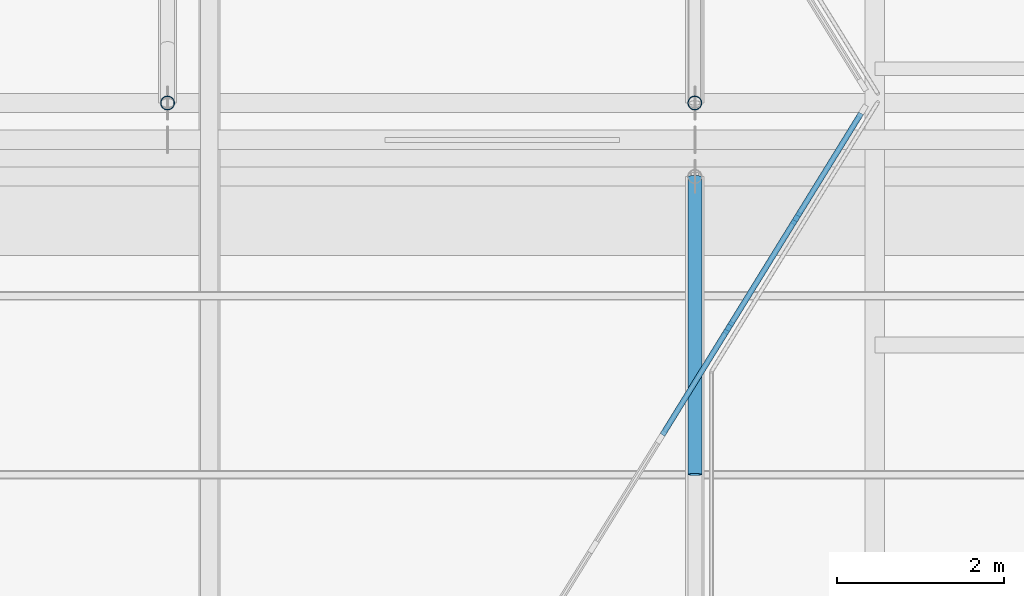
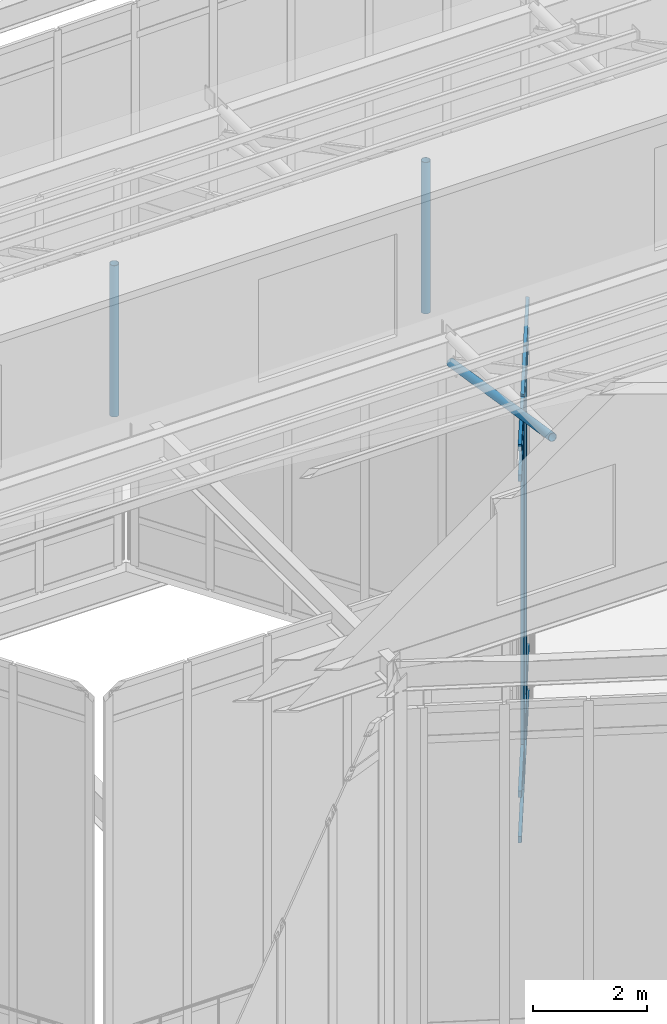
# One storey, part 26 of 66: 17 members, 1 element without a shape of its own.
"""IFC4 building model written with IfcOpenShell, lengths in metres."""

from ifc_helpers import new_model, si_unit, direction, frame, origin, origin_2d, place, context, subcontext, project, spatial, rectangle, hollow_circle, extrude, material, material_profile, profile_set, type_object, element, aggregate, save


model = new_model("IFC4")

# Units and contexts
model_context = context("Model", 3, precision=1e-05, world=origin(), true_north=direction((0.0, 1.0)))
body_context = subcontext(model_context, "Body", "Model", "MODEL_VIEW")
ifc_project = project(units=[si_unit("LENGTHUNIT", "METRE"), si_unit("AREAUNIT", "SQUARE_METRE"), si_unit("VOLUMEUNIT", "CUBIC_METRE"), si_unit("PLANEANGLEUNIT", "RADIAN"), si_unit("MASSUNIT", "GRAM", prefix="KILO")], contexts=[model_context])

# Site, building, storey
site_placement = place(None, origin())
site = spatial("IfcSite", under=ifc_project, at=site_placement, CompositionType="ELEMENT")
building_placement = place(site_placement, origin())
building = spatial("IfcBuilding", under=site, at=building_placement, Name="Tameran Prism Museum", CompositionType="ELEMENT")
storey_placement = place(building_placement, frame((0.0, 0.0, 19.800048828125)))
storey = spatial("IfcBuildingStorey", under=building, at=storey_placement, Name="L04", CompositionType="ELEMENT", Elevation=19.800048828125)

# Curtain wall, members
ifc_material_1 = material(Name="Anodised Aluminium 6063-T6 and Cyclone Solar Glass", Category="aluminium")
curtain_wall_type = type_object("IfcCurtainWallType", Name="CW-ATR-769x844", PredefinedType="USERDEFINED", material=ifc_material_1)
curtain_wall_placement = place(storey_placement, origin())
curtain_wall = element("IfcCurtainWall", 1, at=curtain_wall_placement, inside=storey, type_object=curtain_wall_type, Name="Unitised Curtain Wall CW-017", ObjectType="UNITISED CURTAIN WALL", PredefinedType="USERDEFINED")
ifc_material_2 = material(Name="Anodised Aluminium Alloy 6063-T6", Category="aluminium")
ifc_material_profile_1 = material_profile(ifc_material_2, rectangle(XDim=0.06494140625, YDim=0.159912109375, at=origin_2d()))
ifc_profile_set_1 = profile_set([ifc_material_profile_1])
member_type_1 = type_object("IfcMemberType", Name="CW-MUL-A", PredefinedType="MULLION", material=ifc_profile_set_1)
member_1_placement = place(storey_placement, frame((83.7041015625, 33.75439453125, 0.0), z_axis=(0.0, 0.0, 1.0), x_axis=(-0.850791158897, 0.525503952357, 0.0)))
member_1 = element("IfcMember", 2, at=member_1_placement, type_object=member_type_1, Name="CW-017 mullion 4", PredefinedType="MULLION", context=body_context, shape_type="SweptSolid", body=[
    extrude(rectangle(XDim=0.06494140625, YDim=0.159912109375, at=origin_2d()), origin(), (0.0, 0.0, 1.0), 8.43994140625),
])
member_2_placement = place(storey_placement, frame((84.5126953125, 35.063232421875, 0.0), z_axis=(0.0, 0.0, 1.0), x_axis=(-0.850791158897, 0.525503952357, 0.0)))
member_2 = element("IfcMember", 3, at=member_2_placement, type_object=member_type_1, Name="CW-017 mullion 5", PredefinedType="MULLION", context=body_context, shape_type="SweptSolid", body=[
    extrude(rectangle(XDim=0.06494140625, YDim=0.159912109375, at=origin_2d()), origin(), (0.0, 0.0, 1.0), 8.43994140625),
])
ifc_material_3 = material(Name="Anodised Aluminium Alloy 6063-T6", Category="aluminium")
ifc_material_profile_2 = material_profile(ifc_material_3, rectangle(XDim=0.06494140625, YDim=0.139892578125, at=origin_2d()))
ifc_profile_set_2 = profile_set([ifc_material_profile_2])
member_type_2 = type_object("IfcMemberType", Name="CW-TRN-A", PredefinedType="USERDEFINED", material=ifc_profile_set_2)
member_3_placement = place(storey_placement, frame((82.912841796875, 32.47314453125, 0.032470703125), z_axis=(0.525418798442, 0.850843749606, 0.0), x_axis=(-0.850843749606, 0.525418798442, 0.0)))
member_3 = element("IfcMember", 4, at=member_3_placement, type_object=member_type_2, Name="CW-017 transom 3.1", ObjectType="TRANSOM", PredefinedType="USERDEFINED", context=body_context, shape_type="SweptSolid", body=[
    extrude(rectangle(XDim=0.06494140625, YDim=0.139892578125, at=origin_2d()), origin(), (0.0, 0.0, 1.0), 1.473388671875),
])
member_4_placement = place(storey_placement, frame((82.912841796875, 32.47314453125, 1.0), z_axis=(0.525418798442, 0.850843749606, 0.0), x_axis=(-0.850843749606, 0.525418798442, 0.0)))
member_4 = element("IfcMember", 5, at=member_4_placement, type_object=member_type_2, Name="CW-017 transom 3.2", ObjectType="TRANSOM", PredefinedType="USERDEFINED", context=body_context, shape_type="SweptSolid", body=[
    extrude(rectangle(XDim=0.06494140625, YDim=0.139892578125, at=origin_2d()), origin(), (0.0, 0.0, 1.0), 1.473388671875),
])
member_5_placement = place(storey_placement, frame((82.912841796875, 32.47314453125, 7.760009765625), z_axis=(0.525418798442, 0.850843749606, 0.0), x_axis=(-0.850843749606, 0.525418798442, 0.0)))
member_5 = element("IfcMember", 6, at=member_5_placement, type_object=member_type_2, Name="CW-017 transom 3.3", ObjectType="TRANSOM", PredefinedType="USERDEFINED", context=body_context, shape_type="SweptSolid", body=[
    extrude(rectangle(XDim=0.06494140625, YDim=0.139892578125, at=origin_2d()), origin(), (0.0, 0.0, 1.0), 1.473388671875),
])
member_6_placement = place(storey_placement, frame((82.912841796875, 32.47314453125, 8.407470703125), z_axis=(0.525418798442, 0.850843749606, 0.0), x_axis=(-0.850843749606, 0.525418798442, 0.0)))
member_6 = element("IfcMember", 7, at=member_6_placement, type_object=member_type_2, Name="CW-017 transom 3.4", ObjectType="TRANSOM", PredefinedType="USERDEFINED", context=body_context, shape_type="SweptSolid", body=[
    extrude(rectangle(XDim=0.06494140625, YDim=0.139892578125, at=origin_2d()), origin(), (0.0, 0.0, 1.0), 1.473388671875),
])
member_7_placement = place(storey_placement, frame((83.72119140625, 33.781982421875, 0.032470703125), z_axis=(0.525538735192, 0.850769673774, 0.0), x_axis=(-0.850769673774, 0.525538735192, 0.0)))
member_7 = element("IfcMember", 8, at=member_7_placement, type_object=member_type_2, Name="CW-017 transom 4.1", ObjectType="TRANSOM", PredefinedType="USERDEFINED", context=body_context, shape_type="SweptSolid", body=[
    extrude(rectangle(XDim=0.06494140625, YDim=0.139892578125, at=origin_2d()), origin(), (0.0, 0.0, 1.0), 1.4736328125),
])
member_8_placement = place(storey_placement, frame((83.72119140625, 33.781982421875, 1.0), z_axis=(0.525538735192, 0.850769673774, 0.0), x_axis=(-0.850769673774, 0.525538735192, 0.0)))
member_8 = element("IfcMember", 9, at=member_8_placement, type_object=member_type_2, Name="CW-017 transom 4.2", ObjectType="TRANSOM", PredefinedType="USERDEFINED", context=body_context, shape_type="SweptSolid", body=[
    extrude(rectangle(XDim=0.06494140625, YDim=0.139892578125, at=origin_2d()), origin(), (0.0, 0.0, 1.0), 1.4736328125),
])
member_9_placement = place(storey_placement, frame((83.72119140625, 33.781982421875, 7.760009765625), z_axis=(0.525538735192, 0.850769673774, 0.0), x_axis=(-0.850769673774, 0.525538735192, 0.0)))
member_9 = element("IfcMember", 10, at=member_9_placement, type_object=member_type_2, Name="CW-017 transom 4.3", ObjectType="TRANSOM", PredefinedType="USERDEFINED", context=body_context, shape_type="SweptSolid", body=[
    extrude(rectangle(XDim=0.06494140625, YDim=0.139892578125, at=origin_2d()), origin(), (0.0, 0.0, 1.0), 1.4736328125),
])
member_10_placement = place(storey_placement, frame((83.72119140625, 33.781982421875, 8.407470703125), z_axis=(0.525538735192, 0.850769673774, 0.0), x_axis=(-0.850769673774, 0.525538735192, 0.0)))
member_10 = element("IfcMember", 11, at=member_10_placement, type_object=member_type_2, Name="CW-017 transom 4.4", ObjectType="TRANSOM", PredefinedType="USERDEFINED", context=body_context, shape_type="SweptSolid", body=[
    extrude(rectangle(XDim=0.06494140625, YDim=0.139892578125, at=origin_2d()), origin(), (0.0, 0.0, 1.0), 1.4736328125),
])
member_11_placement = place(storey_placement, frame((84.52978515625, 35.0908203125, 0.032470703125), z_axis=(0.525467627301, 0.850813594543, 0.0), x_axis=(-0.850813594543, 0.525467627301, 0.0)))
member_11 = element("IfcMember", 12, at=member_11_placement, type_object=member_type_2, Name="CW-017 transom 5.1", ObjectType="TRANSOM", PredefinedType="USERDEFINED", context=body_context, shape_type="SweptSolid", body=[
    extrude(rectangle(XDim=0.06494140625, YDim=0.139892578125, at=origin_2d()), origin(), (0.0, 0.0, 1.0), 1.440673828125),
])
member_12_placement = place(storey_placement, frame((84.52978515625, 35.0908203125, 1.0), z_axis=(0.525467627301, 0.850813594543, 0.0), x_axis=(-0.850813594543, 0.525467627301, 0.0)))
member_12 = element("IfcMember", 13, at=member_12_placement, type_object=member_type_2, Name="CW-017 transom 5.2", ObjectType="TRANSOM", PredefinedType="USERDEFINED", context=body_context, shape_type="SweptSolid", body=[
    extrude(rectangle(XDim=0.06494140625, YDim=0.139892578125, at=origin_2d()), origin(), (0.0, 0.0, 1.0), 1.440673828125),
])
member_13_placement = place(storey_placement, frame((84.52978515625, 35.0908203125, 7.760009765625), z_axis=(0.525467627301, 0.850813594543, 0.0), x_axis=(-0.850813594543, 0.525467627301, 0.0)))
member_13 = element("IfcMember", 14, at=member_13_placement, type_object=member_type_2, Name="CW-017 transom 5.3", ObjectType="TRANSOM", PredefinedType="USERDEFINED", context=body_context, shape_type="SweptSolid", body=[
    extrude(rectangle(XDim=0.06494140625, YDim=0.139892578125, at=origin_2d()), origin(), (0.0, 0.0, 1.0), 1.440673828125),
])
member_14_placement = place(storey_placement, frame((84.52978515625, 35.0908203125, 8.407470703125), z_axis=(0.525467627301, 0.850813594543, 0.0), x_axis=(-0.850813594543, 0.525467627301, 0.0)))
member_14 = element("IfcMember", 15, at=member_14_placement, type_object=member_type_2, Name="CW-017 transom 5.4", ObjectType="TRANSOM", PredefinedType="USERDEFINED", context=body_context, shape_type="SweptSolid", body=[
    extrude(rectangle(XDim=0.06494140625, YDim=0.139892578125, at=origin_2d()), origin(), (0.0, 0.0, 1.0), 1.440673828125),
])
aggregate(curtain_wall, [member_1, member_2, member_3, member_4, member_5, member_6, member_7, member_8, member_9, member_10, member_11, member_12, member_13, member_14])

# Members
ifc_material_4 = material(Name="Steel Grade C350L0 (350 MPa)", Category="steel")
ifc_material_profile_3 = material_profile(ifc_material_4, hollow_circle(Radius=0.084228515625, WallThickness=0.007080078125, at=origin_2d()))
ifc_profile_set_3 = profile_set([ifc_material_profile_3])
member_type_3 = type_object("IfcMemberType", Name="MM-BR-CHS168", PredefinedType="BRACE", material=ifc_profile_set_3)
member_15_placement = place(storey_placement, frame((83.300048828125, 32.0, 8.785888671875), z_axis=(0.0, 0.987767358806, -0.155934745575), x_axis=(-1.0, 0.0, 0.0)))
element("IfcMember", 16, at=member_15_placement, inside=storey, type_object=member_type_3, Name="Sawtooth Brace STM-0181", PredefinedType="BRACE", context=body_context, shape_type="SweptSolid", body=[
    extrude(hollow_circle(Radius=0.084228515625, WallThickness=0.007080078125, at=origin_2d()), origin(), (0.0, 0.0, 1.0), 3.604248046875),
])
for number, where, z_axis, x_axis, name in (
    (17, (77.0, 36.43994140625, 8.785888671875), (0.0, 0.0, 1.0), (1.0, 0.0, 0.0), "Sawtooth Brace STM-0206"),
    (18, (83.300048828125, 36.43994140625, 8.785888671875), (0.0, 0.0, 1.0), (1.0, 0.0, 0.0), "Sawtooth Brace STM-0213"),
):
    element("IfcMember", number, at=place(storey_placement, frame(where, z_axis=z_axis, x_axis=x_axis)), inside=storey, type_object=member_type_3, Name=name, PredefinedType="BRACE", context=body_context, shape_type="SweptSolid", body=[
        extrude(hollow_circle(Radius=0.084228515625, WallThickness=0.007080078125, at=origin_2d()), origin(), (0.0, 0.0, 1.0), 3.238037109375),
    ])

save(model, "model.ifc")
